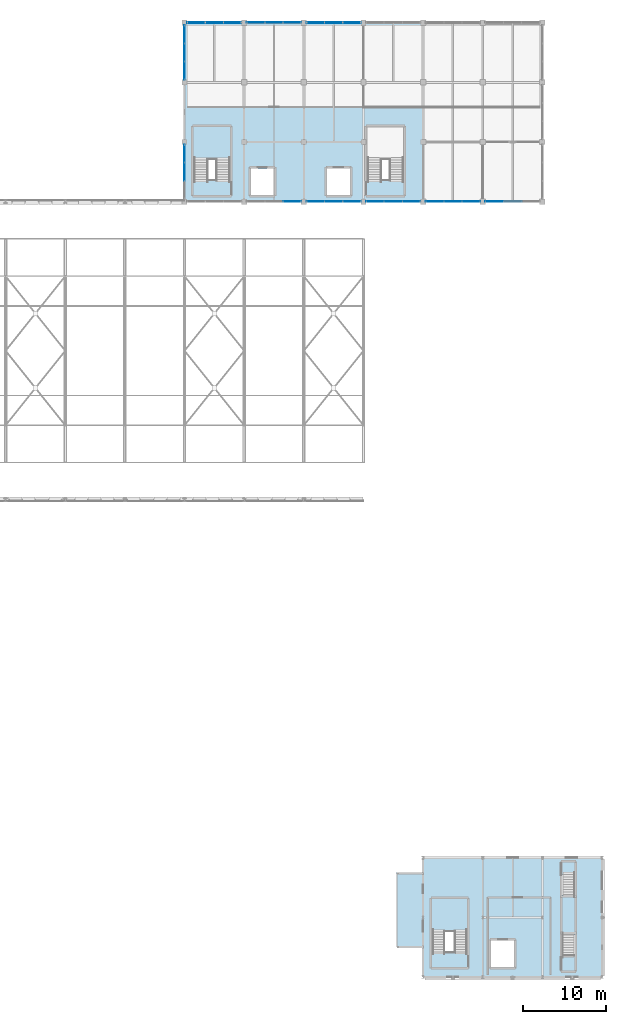
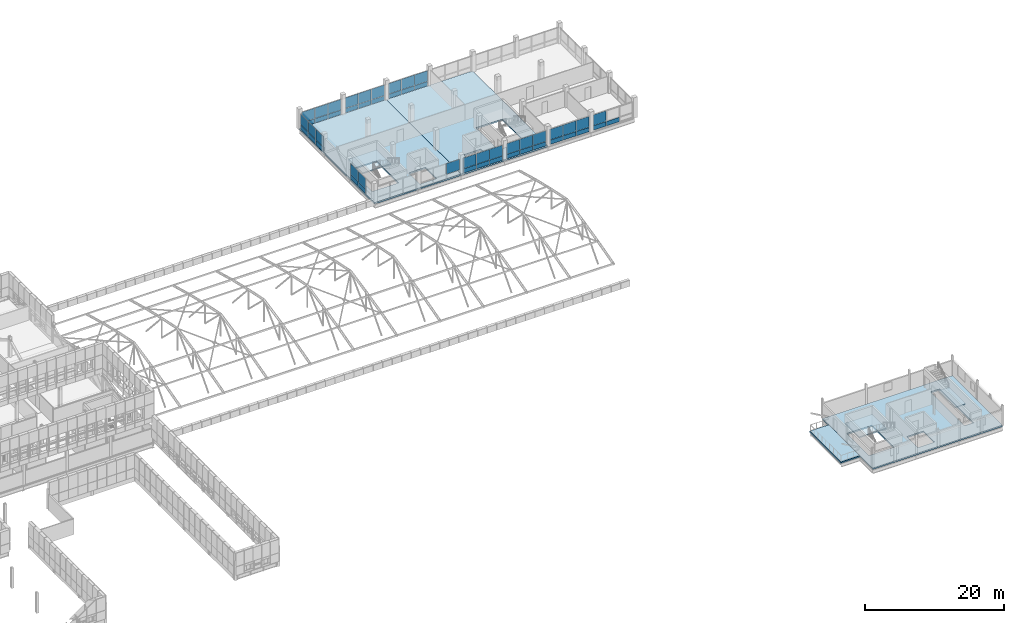
# One storey, part 51 of 96: 50 plates, 7 slabs, 13 elements without a shape of their own.
"""IFC4 building model written with IfcOpenShell, lengths in metres."""

from ifc_helpers import new_model, si_unit, direction, frame, origin, origin_2d, place, context, subcontext, project, spatial, polyline, rectangle, outline, extrude, material, layer, layer_set, type_object, element, aggregate, save


model = new_model("IFC4")

# Units and contexts
model_context = context("Model", 3, precision=1e-05, world=origin(), true_north=direction((0.0, 1.0)))
body_context = subcontext(model_context, "Body", "Model", "MODEL_VIEW")
ifc_project = project(units=[si_unit("LENGTHUNIT", "METRE"), si_unit("AREAUNIT", "SQUARE_METRE"), si_unit("VOLUMEUNIT", "CUBIC_METRE"), si_unit("PLANEANGLEUNIT", "RADIAN"), si_unit("MASSUNIT", "GRAM", prefix="KILO")], contexts=[model_context])

# Site, building, storey
site_placement = place(None, origin())
site = spatial("IfcSite", under=ifc_project, at=site_placement, CompositionType="ELEMENT")
building_placement = place(site_placement, origin())
building = spatial("IfcBuilding", under=site, at=building_placement, Name="Yarey Park Central Fire Station", CompositionType="ELEMENT")
storey_placement = place(building_placement, frame((0.0, 0.0, 14.39990234375)))
storey = spatial("IfcBuildingStorey", under=building, at=storey_placement, Name="L04", CompositionType="ELEMENT", Elevation=14.39990234375)

# Curtain wall, plates
ifc_material_1 = material(Name="Anodized Aluminium Frame", Category="aluminium")
curtain_wall_type = type_object("IfcCurtainWallType", Name="ENV_CW_HQ_L04", PredefinedType="NOTDEFINED", material=ifc_material_1)
curtain_wall_1_placement = place(storey_placement, origin())
curtain_wall_1 = element("IfcCurtainWall", 1, at=curtain_wall_1_placement, inside=storey, type_object=curtain_wall_type, Name="CW_L04_V4_N_2", PredefinedType="NOTDEFINED")
ifc_material_2 = material(Name="Insulated Aluminium Spandrel Panel", Category="aluminium")
ifc_layer_1 = layer(ifc_material_2, 0.055908203125)
ifc_layer_set_1 = layer_set([ifc_layer_1], Name="Insulated Aluminium Spandrel Panel")
plate_type_1 = type_object("IfcPlateType", Name="ENV_PNL_SPN_01", PredefinedType="CURTAIN_PANEL", material=ifc_layer_set_1)
plate_1_placement = place(storey_placement, frame((128.193359375, 115.199951171875, 0.04248046875), z_axis=(0.0, 0.0, 1.0), x_axis=(-1.0, 0.0, 0.0)))
plate_1 = element("IfcPlate", 2, at=plate_1_placement, type_object=plate_type_1, Name="CW_L04_V4_N_2_PNL01", PredefinedType="CURTAIN_PANEL", context=body_context, shape_type="SweptSolid", body=[
    extrude(rectangle(XDim=2.1533203125, YDim=0.055908203125, at=origin_2d()), origin(), (0.0, 0.0, 1.0), 0.764892578125),
])
plate_2_placement = place(storey_placement, frame((126.0, 115.199951171875, 0.04248046875), z_axis=(0.0, 0.0, 1.0), x_axis=(-1.0, 0.0, 0.0)))
plate_2 = element("IfcPlate", 3, at=plate_2_placement, type_object=plate_type_1, Name="CW_L04_V4_N_2_PNL03", PredefinedType="CURTAIN_PANEL", context=body_context, shape_type="SweptSolid", body=[
    extrude(rectangle(XDim=2.1533203125, YDim=0.055908203125, at=origin_2d()), origin(), (0.0, 0.0, 1.0), 0.764892578125),
])
plate_3_placement = place(storey_placement, frame((123.806640625, 115.199951171875, 0.04248046875), z_axis=(0.0, 0.0, 1.0), x_axis=(-1.0, 0.0, 0.0)))
plate_3 = element("IfcPlate", 4, at=plate_3_placement, type_object=plate_type_1, Name="CW_L04_V4_N_2_PNL05", PredefinedType="CURTAIN_PANEL", context=body_context, shape_type="SweptSolid", body=[
    extrude(rectangle(XDim=2.1533203125, YDim=0.055908203125, at=origin_2d()), origin(), (0.0, 0.0, 1.0), 0.764892578125),
])

curtain_wall_2_placement = place(storey_placement, origin())
curtain_wall_2 = element("IfcCurtainWall", 5, at=curtain_wall_2_placement, inside=storey, type_object=curtain_wall_type, Name="CW_L04_V4_S_4", PredefinedType="NOTDEFINED")
ifc_layer_2 = layer(ifc_material_2, 0.068115234375)
ifc_layer_set_2 = layer_set([ifc_layer_2], Name="Insulated Aluminium Spandrel Panel")
plate_type_2 = type_object("IfcPlateType", Name="ENV_PNL_SPN_02", PredefinedType="CURTAIN_PANEL", material=ifc_layer_set_2)
plate_4_placement = place(storey_placement, frame((138.206787109375, 93.60009765625, 0.04248046875), z_axis=(0.0, 0.0, 1.0), x_axis=(1.0, 0.0, 0.0)))
plate_4 = element("IfcPlate", 6, at=plate_4_placement, type_object=plate_type_2, Name="CW_L04_V4_S_4_PNL01", PredefinedType="CURTAIN_PANEL", context=body_context, shape_type="SweptSolid", body=[
    extrude(rectangle(XDim=2.1533203125, YDim=0.068115234375, at=origin_2d()), origin(), (0.0, 0.0, 1.0), 0.764892578125),
])
plate_5_placement = place(storey_placement, frame((140.39990234375, 93.60009765625, 0.04248046875), z_axis=(0.0, 0.0, 1.0), x_axis=(1.0, 0.0, 0.0)))
plate_5 = element("IfcPlate", 7, at=plate_5_placement, type_object=plate_type_2, Name="CW_L04_V4_S_4_PNL03", PredefinedType="CURTAIN_PANEL", context=body_context, shape_type="SweptSolid", body=[
    extrude(rectangle(XDim=2.1533203125, YDim=0.068115234375, at=origin_2d()), origin(), (0.0, 0.0, 1.0), 0.764892578125),
])
plate_6_placement = place(storey_placement, frame((142.59326171875, 93.60009765625, 0.04248046875), z_axis=(0.0, 0.0, 1.0), x_axis=(1.0, 0.0, 0.0)))
plate_6 = element("IfcPlate", 8, at=plate_6_placement, type_object=plate_type_2, Name="CW_L04_V4_S_4_PNL05", PredefinedType="CURTAIN_PANEL", context=body_context, shape_type="SweptSolid", body=[
    extrude(rectangle(XDim=2.1533203125, YDim=0.068115234375, at=origin_2d()), origin(), (0.0, 0.0, 1.0), 0.764892578125),
])

curtain_wall_3_placement = place(storey_placement, origin())
curtain_wall_3 = element("IfcCurtainWall", 9, at=curtain_wall_3_placement, inside=storey, type_object=curtain_wall_type, Name="CW_L04_V4_S_6", PredefinedType="NOTDEFINED")
plate_7_placement = place(storey_placement, frame((152.606689453125, 93.60009765625, 0.04248046875), z_axis=(0.0, 0.0, 1.0), x_axis=(1.0, 0.0, 0.0)))
plate_7 = element("IfcPlate", 10, at=plate_7_placement, type_object=plate_type_2, Name="CW_L04_V4_S_6_PNL01", PredefinedType="CURTAIN_PANEL", context=body_context, shape_type="SweptSolid", body=[
    extrude(rectangle(XDim=2.1533203125, YDim=0.068115234375, at=origin_2d()), origin(), (0.0, 0.0, 1.0), 0.764892578125),
])
plate_8_placement = place(storey_placement, frame((154.800048828125, 93.60009765625, 0.04248046875), z_axis=(0.0, 0.0, 1.0), x_axis=(1.0, 0.0, 0.0)))
plate_8 = element("IfcPlate", 11, at=plate_8_placement, type_object=plate_type_2, Name="CW_L04_V4_S_6_PNL03", PredefinedType="CURTAIN_PANEL", context=body_context, shape_type="SweptSolid", body=[
    extrude(rectangle(XDim=2.1533203125, YDim=0.068115234375, at=origin_2d()), origin(), (0.0, 0.0, 1.0), 0.764892578125),
])

curtain_wall_4_placement = place(storey_placement, origin())
curtain_wall_4 = element("IfcCurtainWall", 12, at=curtain_wall_4_placement, inside=storey, type_object=curtain_wall_type, Name="CW_L04_V4_N_1", PredefinedType="NOTDEFINED")
ifc_layer_3 = layer(ifc_material_2, 0.077880859375)
ifc_layer_set_3 = layer_set([ifc_layer_3], Name="Insulated Aluminium Spandrel Panel")
plate_type_3 = type_object("IfcPlateType", Name="ENV_PNL_SPN_03", PredefinedType="CURTAIN_PANEL", material=ifc_layer_set_3)
plate_9_placement = place(storey_placement, frame((120.993408203125, 115.199951171875, 0.04248046875), z_axis=(0.0, 0.0, 1.0), x_axis=(-1.0, 0.0, 0.0)))
plate_9 = element("IfcPlate", 13, at=plate_9_placement, type_object=plate_type_3, Name="CW_L04_V4_N_1_PNL01", PredefinedType="CURTAIN_PANEL", context=body_context, shape_type="SweptSolid", body=[
    extrude(rectangle(XDim=2.1533203125, YDim=0.077880859375, at=origin_2d()), origin(), (0.0, 0.0, 1.0), 0.764892578125),
])
plate_10_placement = place(storey_placement, frame((118.800048828125, 115.199951171875, 0.04248046875), z_axis=(0.0, 0.0, 1.0), x_axis=(-1.0, 0.0, 0.0)))
plate_10 = element("IfcPlate", 14, at=plate_10_placement, type_object=plate_type_3, Name="CW_L04_V4_N_1_PNL03", PredefinedType="CURTAIN_PANEL", context=body_context, shape_type="SweptSolid", body=[
    extrude(rectangle(XDim=2.1533203125, YDim=0.077880859375, at=origin_2d()), origin(), (0.0, 0.0, 1.0), 0.764892578125),
])
plate_11_placement = place(storey_placement, frame((116.606689453125, 115.199951171875, 0.04248046875), z_axis=(0.0, 0.0, 1.0), x_axis=(-1.0, 0.0, 0.0)))
plate_11 = element("IfcPlate", 15, at=plate_11_placement, type_object=plate_type_3, Name="CW_L04_V4_N_1_PNL05", PredefinedType="CURTAIN_PANEL", context=body_context, shape_type="SweptSolid", body=[
    extrude(rectangle(XDim=2.1533203125, YDim=0.077880859375, at=origin_2d()), origin(), (0.0, 0.0, 1.0), 0.764892578125),
])

curtain_wall_5_placement = place(storey_placement, origin())
curtain_wall_5 = element("IfcCurtainWall", 16, at=curtain_wall_5_placement, inside=storey, type_object=curtain_wall_type, Name="CW_L04_V4_N_3", PredefinedType="NOTDEFINED")
plate_12_placement = place(storey_placement, frame((135.393310546875, 115.199951171875, 0.04248046875), z_axis=(0.0, 0.0, 1.0), x_axis=(-1.0, 0.0, 0.0)))
plate_12 = element("IfcPlate", 17, at=plate_12_placement, type_object=plate_type_3, Name="CW_L04_V4_N_3_PNL01", PredefinedType="CURTAIN_PANEL", context=body_context, shape_type="SweptSolid", body=[
    extrude(rectangle(XDim=2.1533203125, YDim=0.077880859375, at=origin_2d()), origin(), (0.0, 0.0, 1.0), 0.764892578125),
])
plate_13_placement = place(storey_placement, frame((133.199951171875, 115.199951171875, 0.04248046875), z_axis=(0.0, 0.0, 1.0), x_axis=(-1.0, 0.0, 0.0)))
plate_13 = element("IfcPlate", 18, at=plate_13_placement, type_object=plate_type_3, Name="CW_L04_V4_N_3_PNL03", PredefinedType="CURTAIN_PANEL", context=body_context, shape_type="SweptSolid", body=[
    extrude(rectangle(XDim=2.1533203125, YDim=0.077880859375, at=origin_2d()), origin(), (0.0, 0.0, 1.0), 0.764892578125),
])
plate_14_placement = place(storey_placement, frame((131.006591796875, 115.199951171875, 0.04248046875), z_axis=(0.0, 0.0, 1.0), x_axis=(-1.0, 0.0, 0.0)))
plate_14 = element("IfcPlate", 19, at=plate_14_placement, type_object=plate_type_3, Name="CW_L04_V4_N_3_PNL05", PredefinedType="CURTAIN_PANEL", context=body_context, shape_type="SweptSolid", body=[
    extrude(rectangle(XDim=2.1533203125, YDim=0.077880859375, at=origin_2d()), origin(), (0.0, 0.0, 1.0), 0.764892578125),
])

curtain_wall_6_placement = place(storey_placement, origin())
curtain_wall_6 = element("IfcCurtainWall", 20, at=curtain_wall_6_placement, inside=storey, type_object=curtain_wall_type, Name="CW_L04_V4_W_93", PredefinedType="NOTDEFINED")
plate_15_placement = place(storey_placement, frame((115.199951171875, 99.393310546875, 0.04248046875), z_axis=(0.0, 0.0, 1.0), x_axis=(0.0, -1.0, 0.0)))
plate_15 = element("IfcPlate", 21, at=plate_15_placement, type_object=plate_type_3, Name="CW_L04_V4_W_93_PNL01", PredefinedType="CURTAIN_PANEL", context=body_context, shape_type="SweptSolid", body=[
    extrude(rectangle(XDim=2.1533203125, YDim=0.077880859375, at=origin_2d()), origin(), (0.0, 0.0, 1.0), 0.764892578125),
])
plate_16_placement = place(storey_placement, frame((115.199951171875, 97.199951171875, 0.04248046875), z_axis=(0.0, 0.0, 1.0), x_axis=(0.0, -1.0, 0.0)))
plate_16 = element("IfcPlate", 22, at=plate_16_placement, type_object=plate_type_3, Name="CW_L04_V4_W_93_PNL03", PredefinedType="CURTAIN_PANEL", context=body_context, shape_type="SweptSolid", body=[
    extrude(rectangle(XDim=2.1533203125, YDim=0.077880859375, at=origin_2d()), origin(), (0.0, 0.0, 1.0), 0.764892578125),
])

curtain_wall_7_placement = place(storey_placement, origin())
curtain_wall_7 = element("IfcCurtainWall", 23, at=curtain_wall_7_placement, inside=storey, type_object=curtain_wall_type, Name="CW_L04_V4_S_3", PredefinedType="NOTDEFINED")
ifc_layer_4 = layer(ifc_material_2, 0.087890625)
ifc_layer_set_4 = layer_set([ifc_layer_4], Name="Insulated Aluminium Spandrel Panel")
plate_type_4 = type_object("IfcPlateType", Name="ENV_PNL_SPN_04", PredefinedType="CURTAIN_PANEL", material=ifc_layer_set_4)
plate_17_placement = place(storey_placement, frame((131.006591796875, 93.60009765625, 0.04248046875), z_axis=(0.0, 0.0, 1.0), x_axis=(1.0, 0.0, 0.0)))
plate_17 = element("IfcPlate", 24, at=plate_17_placement, type_object=plate_type_4, Name="CW_L04_V4_S_3_PNL01", PredefinedType="CURTAIN_PANEL", context=body_context, shape_type="SweptSolid", body=[
    extrude(rectangle(XDim=2.1533203125, YDim=0.087890625, at=origin_2d()), origin(), (0.0, 0.0, 1.0), 0.764892578125),
])
plate_18_placement = place(storey_placement, frame((133.199951171875, 93.60009765625, 0.04248046875), z_axis=(0.0, 0.0, 1.0), x_axis=(1.0, 0.0, 0.0)))
plate_18 = element("IfcPlate", 25, at=plate_18_placement, type_object=plate_type_4, Name="CW_L04_V4_S_3_PNL03", PredefinedType="CURTAIN_PANEL", context=body_context, shape_type="SweptSolid", body=[
    extrude(rectangle(XDim=2.1533203125, YDim=0.087890625, at=origin_2d()), origin(), (0.0, 0.0, 1.0), 0.764892578125),
])
plate_19_placement = place(storey_placement, frame((135.393310546875, 93.60009765625, 0.04248046875), z_axis=(0.0, 0.0, 1.0), x_axis=(1.0, 0.0, 0.0)))
plate_19 = element("IfcPlate", 26, at=plate_19_placement, type_object=plate_type_4, Name="CW_L04_V4_S_3_PNL05", PredefinedType="CURTAIN_PANEL", context=body_context, shape_type="SweptSolid", body=[
    extrude(rectangle(XDim=2.1533203125, YDim=0.087890625, at=origin_2d()), origin(), (0.0, 0.0, 1.0), 0.764892578125),
])

curtain_wall_8_placement = place(storey_placement, origin())
curtain_wall_8 = element("IfcCurtainWall", 27, at=curtain_wall_8_placement, inside=storey, type_object=curtain_wall_type, Name="CW_L04_V4_S_5", PredefinedType="NOTDEFINED")
plate_20_placement = place(storey_placement, frame((145.40673828125, 93.60009765625, 0.04248046875), z_axis=(0.0, 0.0, 1.0), x_axis=(1.0, 0.0, 0.0)))
plate_20 = element("IfcPlate", 28, at=plate_20_placement, type_object=plate_type_4, Name="CW_L04_V4_S_5_PNL01", PredefinedType="CURTAIN_PANEL", context=body_context, shape_type="SweptSolid", body=[
    extrude(rectangle(XDim=2.1533203125, YDim=0.087890625, at=origin_2d()), origin(), (0.0, 0.0, 1.0), 0.764892578125),
])
plate_21_placement = place(storey_placement, frame((147.60009765625, 93.60009765625, 0.04248046875), z_axis=(0.0, 0.0, 1.0), x_axis=(1.0, 0.0, 0.0)))
plate_21 = element("IfcPlate", 29, at=plate_21_placement, type_object=plate_type_4, Name="CW_L04_V4_S_5_PNL03", PredefinedType="CURTAIN_PANEL", context=body_context, shape_type="SweptSolid", body=[
    extrude(rectangle(XDim=2.1533203125, YDim=0.087890625, at=origin_2d()), origin(), (0.0, 0.0, 1.0), 0.764892578125),
])
plate_22_placement = place(storey_placement, frame((149.793212890625, 93.60009765625, 0.04248046875), z_axis=(0.0, 0.0, 1.0), x_axis=(1.0, 0.0, 0.0)))
plate_22 = element("IfcPlate", 30, at=plate_22_placement, type_object=plate_type_4, Name="CW_L04_V4_S_5_PNL05", PredefinedType="CURTAIN_PANEL", context=body_context, shape_type="SweptSolid", body=[
    extrude(rectangle(XDim=2.1533203125, YDim=0.087890625, at=origin_2d()), origin(), (0.0, 0.0, 1.0), 0.764892578125),
])

curtain_wall_9_placement = place(storey_placement, origin())
curtain_wall_9 = element("IfcCurtainWall", 31, at=curtain_wall_9_placement, inside=storey, type_object=curtain_wall_type, Name="CW_L04_V4_W_108", PredefinedType="NOTDEFINED")
plate_23_placement = place(storey_placement, frame((115.199951171875, 113.793212890625, 0.04248046875), z_axis=(0.0, 0.0, 1.0), x_axis=(0.0, -1.0, 0.0)))
plate_23 = element("IfcPlate", 32, at=plate_23_placement, type_object=plate_type_4, Name="CW_L04_V4_W_108_PNL01", PredefinedType="CURTAIN_PANEL", context=body_context, shape_type="SweptSolid", body=[
    extrude(rectangle(XDim=2.1533203125, YDim=0.087890625, at=origin_2d()), origin(), (0.0, 0.0, 1.0), 0.764892578125),
])
plate_24_placement = place(storey_placement, frame((115.199951171875, 111.60009765625, 0.04248046875), z_axis=(0.0, 0.0, 1.0), x_axis=(0.0, -1.0, 0.0)))
plate_24 = element("IfcPlate", 33, at=plate_24_placement, type_object=plate_type_4, Name="CW_L04_V4_W_108_PNL03", PredefinedType="CURTAIN_PANEL", context=body_context, shape_type="SweptSolid", body=[
    extrude(rectangle(XDim=2.1533203125, YDim=0.087890625, at=origin_2d()), origin(), (0.0, 0.0, 1.0), 0.764892578125),
])
plate_25_placement = place(storey_placement, frame((115.199951171875, 109.40673828125, 0.04248046875), z_axis=(0.0, 0.0, 1.0), x_axis=(0.0, -1.0, 0.0)))
plate_25 = element("IfcPlate", 34, at=plate_25_placement, type_object=plate_type_4, Name="CW_L04_V4_W_108_PNL05", PredefinedType="CURTAIN_PANEL", context=body_context, shape_type="SweptSolid", body=[
    extrude(rectangle(XDim=2.1533203125, YDim=0.087890625, at=origin_2d()), origin(), (0.0, 0.0, 1.0), 0.764892578125),
])

# Plate
ifc_material_3 = material(Name="Laminated Hurricane Low-E Glass", Category="glass")
ifc_layer_5 = layer(ifc_material_3, 0.02392578125)
ifc_layer_set_5 = layer_set([ifc_layer_5], Name="Laminated Hurricane Low-E Glass")
plate_type_5 = type_object("IfcPlateType", Name="ENV_PNL_VIS_01", PredefinedType="CURTAIN_PANEL", material=ifc_layer_set_5)
plate_26_placement = place(storey_placement, frame((128.193359375, 115.199951171875, 0.8427734375), z_axis=(0.0, 0.0, 1.0), x_axis=(-1.0, 0.0, 0.0)))
plate_26 = element("IfcPlate", 35, at=plate_26_placement, type_object=plate_type_5, Name="CW_L04_V4_N_2_PNL02", PredefinedType="CURTAIN_PANEL", context=body_context, shape_type="SweptSolid", body=[
    extrude(rectangle(XDim=2.1533203125, YDim=0.02392578125, at=origin_2d()), origin(), (0.0, 0.0, 1.0), 1.864990234375),
])

plate_27_placement = place(storey_placement, frame((126.0, 115.199951171875, 0.8427734375), z_axis=(0.0, 0.0, 1.0), x_axis=(-1.0, 0.0, 0.0)))
plate_27 = element("IfcPlate", 36, at=plate_27_placement, type_object=plate_type_5, Name="CW_L04_V4_N_2_PNL04", PredefinedType="CURTAIN_PANEL", context=body_context, shape_type="SweptSolid", body=[
    extrude(rectangle(XDim=2.1533203125, YDim=0.02392578125, at=origin_2d()), origin(), (0.0, 0.0, 1.0), 1.864990234375),
])

plate_28_placement = place(storey_placement, frame((123.806640625, 115.199951171875, 0.8427734375), z_axis=(0.0, 0.0, 1.0), x_axis=(-1.0, 0.0, 0.0)))
plate_28 = element("IfcPlate", 37, at=plate_28_placement, type_object=plate_type_5, Name="CW_L04_V4_N_2_PNL06", PredefinedType="CURTAIN_PANEL", context=body_context, shape_type="SweptSolid", body=[
    extrude(rectangle(XDim=2.1533203125, YDim=0.02392578125, at=origin_2d()), origin(), (0.0, 0.0, 1.0), 1.864990234375),
])

aggregate(curtain_wall_1, [plate_1, plate_26, plate_2, plate_27, plate_3, plate_28])

# Curtain wall, plate
curtain_wall_10_placement = place(storey_placement, origin())
curtain_wall_10 = element("IfcCurtainWall", 38, at=curtain_wall_10_placement, inside=storey, type_object=curtain_wall_type, Name="CW_L04_V4_S_2", PredefinedType="NOTDEFINED")
ifc_layer_6 = layer(ifc_material_3, 0.031982421875)
ifc_layer_set_6 = layer_set([ifc_layer_6], Name="Laminated Hurricane Low-E Glass")
plate_type_6 = type_object("IfcPlateType", Name="ENV_PNL_VIS_02", PredefinedType="CURTAIN_PANEL", material=ifc_layer_set_6)
plate_29_placement = place(storey_placement, frame((128.193359375, 93.60009765625, 0.8427734375), z_axis=(0.0, 0.0, 1.0), x_axis=(1.0, 0.0, 0.0)))
plate_29 = element("IfcPlate", 39, at=plate_29_placement, type_object=plate_type_6, Name="CW_L04_V4_S_2_PNL06", PredefinedType="CURTAIN_PANEL", context=body_context, shape_type="SweptSolid", body=[
    extrude(rectangle(XDim=2.1533203125, YDim=0.031982421875, at=origin_2d()), origin(), (0.0, 0.0, 1.0), 1.864990234375),
])
aggregate(curtain_wall_10, [plate_29])

# Plate
plate_30_placement = place(storey_placement, frame((138.206787109375, 93.60009765625, 0.8427734375), z_axis=(0.0, 0.0, 1.0), x_axis=(1.0, 0.0, 0.0)))
plate_30 = element("IfcPlate", 40, at=plate_30_placement, type_object=plate_type_6, Name="CW_L04_V4_S_4_PNL02", PredefinedType="CURTAIN_PANEL", context=body_context, shape_type="SweptSolid", body=[
    extrude(rectangle(XDim=2.1533203125, YDim=0.031982421875, at=origin_2d()), origin(), (0.0, 0.0, 1.0), 1.864990234375),
])

plate_31_placement = place(storey_placement, frame((140.39990234375, 93.60009765625, 0.8427734375), z_axis=(0.0, 0.0, 1.0), x_axis=(1.0, 0.0, 0.0)))
plate_31 = element("IfcPlate", 41, at=plate_31_placement, type_object=plate_type_6, Name="CW_L04_V4_S_4_PNL04", PredefinedType="CURTAIN_PANEL", context=body_context, shape_type="SweptSolid", body=[
    extrude(rectangle(XDim=2.1533203125, YDim=0.031982421875, at=origin_2d()), origin(), (0.0, 0.0, 1.0), 1.864990234375),
])

plate_32_placement = place(storey_placement, frame((142.59326171875, 93.60009765625, 0.8427734375), z_axis=(0.0, 0.0, 1.0), x_axis=(1.0, 0.0, 0.0)))
plate_32 = element("IfcPlate", 42, at=plate_32_placement, type_object=plate_type_6, Name="CW_L04_V4_S_4_PNL06", PredefinedType="CURTAIN_PANEL", context=body_context, shape_type="SweptSolid", body=[
    extrude(rectangle(XDim=2.1533203125, YDim=0.031982421875, at=origin_2d()), origin(), (0.0, 0.0, 1.0), 1.864990234375),
])

aggregate(curtain_wall_2, [plate_4, plate_30, plate_5, plate_31, plate_6, plate_32])

plate_33_placement = place(storey_placement, frame((152.606689453125, 93.60009765625, 0.8427734375), z_axis=(0.0, 0.0, 1.0), x_axis=(1.0, 0.0, 0.0)))
plate_33 = element("IfcPlate", 43, at=plate_33_placement, type_object=plate_type_6, Name="CW_L04_V4_S_6_PNL02", PredefinedType="CURTAIN_PANEL", context=body_context, shape_type="SweptSolid", body=[
    extrude(rectangle(XDim=2.1533203125, YDim=0.031982421875, at=origin_2d()), origin(), (0.0, 0.0, 1.0), 1.864990234375),
])

aggregate(curtain_wall_3, [plate_7, plate_33, plate_8])

ifc_layer_7 = layer(ifc_material_3, 0.0380859375)
ifc_layer_set_7 = layer_set([ifc_layer_7], Name="Laminated Hurricane Low-E Glass")
plate_type_7 = type_object("IfcPlateType", Name="ENV_PNL_VIS_03", PredefinedType="CURTAIN_PANEL", material=ifc_layer_set_7)
plate_34_placement = place(storey_placement, frame((120.993408203125, 115.199951171875, 0.8427734375), z_axis=(0.0, 0.0, 1.0), x_axis=(-1.0, 0.0, 0.0)))
plate_34 = element("IfcPlate", 44, at=plate_34_placement, type_object=plate_type_7, Name="CW_L04_V4_N_1_PNL02", PredefinedType="CURTAIN_PANEL", context=body_context, shape_type="SweptSolid", body=[
    extrude(rectangle(XDim=2.1533203125, YDim=0.0380859375, at=origin_2d()), origin(), (0.0, 0.0, 1.0), 1.864990234375),
])

plate_35_placement = place(storey_placement, frame((118.800048828125, 115.199951171875, 0.8427734375), z_axis=(0.0, 0.0, 1.0), x_axis=(-1.0, 0.0, 0.0)))
plate_35 = element("IfcPlate", 45, at=plate_35_placement, type_object=plate_type_7, Name="CW_L04_V4_N_1_PNL04", PredefinedType="CURTAIN_PANEL", context=body_context, shape_type="SweptSolid", body=[
    extrude(rectangle(XDim=2.1533203125, YDim=0.0380859375, at=origin_2d()), origin(), (0.0, 0.0, 1.0), 1.864990234375),
])

plate_36_placement = place(storey_placement, frame((116.606689453125, 115.199951171875, 0.8427734375), z_axis=(0.0, 0.0, 1.0), x_axis=(-1.0, 0.0, 0.0)))
plate_36 = element("IfcPlate", 46, at=plate_36_placement, type_object=plate_type_7, Name="CW_L04_V4_N_1_PNL06", PredefinedType="CURTAIN_PANEL", context=body_context, shape_type="SweptSolid", body=[
    extrude(rectangle(XDim=2.1533203125, YDim=0.0380859375, at=origin_2d()), origin(), (0.0, 0.0, 1.0), 1.864990234375),
])

aggregate(curtain_wall_4, [plate_9, plate_34, plate_10, plate_35, plate_11, plate_36])

plate_37_placement = place(storey_placement, frame((135.393310546875, 115.199951171875, 0.8427734375), z_axis=(0.0, 0.0, 1.0), x_axis=(-1.0, 0.0, 0.0)))
plate_37 = element("IfcPlate", 47, at=plate_37_placement, type_object=plate_type_7, Name="CW_L04_V4_N_3_PNL02", PredefinedType="CURTAIN_PANEL", context=body_context, shape_type="SweptSolid", body=[
    extrude(rectangle(XDim=2.1533203125, YDim=0.0380859375, at=origin_2d()), origin(), (0.0, 0.0, 1.0), 1.864990234375),
])

plate_38_placement = place(storey_placement, frame((133.199951171875, 115.199951171875, 0.8427734375), z_axis=(0.0, 0.0, 1.0), x_axis=(-1.0, 0.0, 0.0)))
plate_38 = element("IfcPlate", 48, at=plate_38_placement, type_object=plate_type_7, Name="CW_L04_V4_N_3_PNL04", PredefinedType="CURTAIN_PANEL", context=body_context, shape_type="SweptSolid", body=[
    extrude(rectangle(XDim=2.1533203125, YDim=0.0380859375, at=origin_2d()), origin(), (0.0, 0.0, 1.0), 1.864990234375),
])

plate_39_placement = place(storey_placement, frame((131.006591796875, 115.199951171875, 0.8427734375), z_axis=(0.0, 0.0, 1.0), x_axis=(-1.0, 0.0, 0.0)))
plate_39 = element("IfcPlate", 49, at=plate_39_placement, type_object=plate_type_7, Name="CW_L04_V4_N_3_PNL06", PredefinedType="CURTAIN_PANEL", context=body_context, shape_type="SweptSolid", body=[
    extrude(rectangle(XDim=2.1533203125, YDim=0.0380859375, at=origin_2d()), origin(), (0.0, 0.0, 1.0), 1.864990234375),
])

aggregate(curtain_wall_5, [plate_12, plate_37, plate_13, plate_38, plate_14, plate_39])

plate_40_placement = place(storey_placement, frame((115.199951171875, 99.393310546875, 0.8427734375), z_axis=(0.0, 0.0, 1.0), x_axis=(0.0, -1.0, 0.0)))
plate_40 = element("IfcPlate", 50, at=plate_40_placement, type_object=plate_type_7, Name="CW_L04_V4_W_93_PNL02", PredefinedType="CURTAIN_PANEL", context=body_context, shape_type="SweptSolid", body=[
    extrude(rectangle(XDim=2.1533203125, YDim=0.0380859375, at=origin_2d()), origin(), (0.0, 0.0, 1.0), 1.864990234375),
])

plate_41_placement = place(storey_placement, frame((115.199951171875, 97.199951171875, 0.8427734375), z_axis=(0.0, 0.0, 1.0), x_axis=(0.0, -1.0, 0.0)))
plate_41 = element("IfcPlate", 51, at=plate_41_placement, type_object=plate_type_7, Name="CW_L04_V4_W_93_PNL04", PredefinedType="CURTAIN_PANEL", context=body_context, shape_type="SweptSolid", body=[
    extrude(rectangle(XDim=2.1533203125, YDim=0.0380859375, at=origin_2d()), origin(), (0.0, 0.0, 1.0), 1.864990234375),
])

aggregate(curtain_wall_6, [plate_15, plate_40, plate_16, plate_41])

ifc_layer_8 = layer(ifc_material_3, 0.0458984375)
ifc_layer_set_8 = layer_set([ifc_layer_8], Name="Laminated Hurricane Low-E Glass")
plate_type_8 = type_object("IfcPlateType", Name="ENV_PNL_VIS_04", PredefinedType="CURTAIN_PANEL", material=ifc_layer_set_8)
plate_42_placement = place(storey_placement, frame((131.006591796875, 93.60009765625, 0.8427734375), z_axis=(0.0, 0.0, 1.0), x_axis=(1.0, 0.0, 0.0)))
plate_42 = element("IfcPlate", 52, at=plate_42_placement, type_object=plate_type_8, Name="CW_L04_V4_S_3_PNL02", PredefinedType="CURTAIN_PANEL", context=body_context, shape_type="SweptSolid", body=[
    extrude(rectangle(XDim=2.1533203125, YDim=0.0458984375, at=origin_2d()), origin(), (0.0, 0.0, 1.0), 1.864990234375),
])

plate_43_placement = place(storey_placement, frame((133.199951171875, 93.60009765625, 0.8427734375), z_axis=(0.0, 0.0, 1.0), x_axis=(1.0, 0.0, 0.0)))
plate_43 = element("IfcPlate", 53, at=plate_43_placement, type_object=plate_type_8, Name="CW_L04_V4_S_3_PNL04", PredefinedType="CURTAIN_PANEL", context=body_context, shape_type="SweptSolid", body=[
    extrude(rectangle(XDim=2.1533203125, YDim=0.0458984375, at=origin_2d()), origin(), (0.0, 0.0, 1.0), 1.864990234375),
])

plate_44_placement = place(storey_placement, frame((135.393310546875, 93.60009765625, 0.8427734375), z_axis=(0.0, 0.0, 1.0), x_axis=(1.0, 0.0, 0.0)))
plate_44 = element("IfcPlate", 54, at=plate_44_placement, type_object=plate_type_8, Name="CW_L04_V4_S_3_PNL06", PredefinedType="CURTAIN_PANEL", context=body_context, shape_type="SweptSolid", body=[
    extrude(rectangle(XDim=2.1533203125, YDim=0.0458984375, at=origin_2d()), origin(), (0.0, 0.0, 1.0), 1.864990234375),
])

aggregate(curtain_wall_7, [plate_17, plate_42, plate_18, plate_43, plate_19, plate_44])

plate_45_placement = place(storey_placement, frame((145.40673828125, 93.60009765625, 0.8427734375), z_axis=(0.0, 0.0, 1.0), x_axis=(1.0, 0.0, 0.0)))
plate_45 = element("IfcPlate", 55, at=plate_45_placement, type_object=plate_type_8, Name="CW_L04_V4_S_5_PNL02", PredefinedType="CURTAIN_PANEL", context=body_context, shape_type="SweptSolid", body=[
    extrude(rectangle(XDim=2.1533203125, YDim=0.0458984375, at=origin_2d()), origin(), (0.0, 0.0, 1.0), 1.864990234375),
])

plate_46_placement = place(storey_placement, frame((147.60009765625, 93.60009765625, 0.8427734375), z_axis=(0.0, 0.0, 1.0), x_axis=(1.0, 0.0, 0.0)))
plate_46 = element("IfcPlate", 56, at=plate_46_placement, type_object=plate_type_8, Name="CW_L04_V4_S_5_PNL04", PredefinedType="CURTAIN_PANEL", context=body_context, shape_type="SweptSolid", body=[
    extrude(rectangle(XDim=2.1533203125, YDim=0.0458984375, at=origin_2d()), origin(), (0.0, 0.0, 1.0), 1.864990234375),
])

plate_47_placement = place(storey_placement, frame((149.793212890625, 93.60009765625, 0.8427734375), z_axis=(0.0, 0.0, 1.0), x_axis=(1.0, 0.0, 0.0)))
plate_47 = element("IfcPlate", 57, at=plate_47_placement, type_object=plate_type_8, Name="CW_L04_V4_S_5_PNL06", PredefinedType="CURTAIN_PANEL", context=body_context, shape_type="SweptSolid", body=[
    extrude(rectangle(XDim=2.1533203125, YDim=0.0458984375, at=origin_2d()), origin(), (0.0, 0.0, 1.0), 1.864990234375),
])

aggregate(curtain_wall_8, [plate_20, plate_45, plate_21, plate_46, plate_22, plate_47])

plate_48_placement = place(storey_placement, frame((115.199951171875, 113.793212890625, 0.8427734375), z_axis=(0.0, 0.0, 1.0), x_axis=(0.0, -1.0, 0.0)))
plate_48 = element("IfcPlate", 58, at=plate_48_placement, type_object=plate_type_8, Name="CW_L04_V4_W_108_PNL02", PredefinedType="CURTAIN_PANEL", context=body_context, shape_type="SweptSolid", body=[
    extrude(rectangle(XDim=2.1533203125, YDim=0.0458984375, at=origin_2d()), origin(), (0.0, 0.0, 1.0), 1.864990234375),
])

plate_49_placement = place(storey_placement, frame((115.199951171875, 111.60009765625, 0.8427734375), z_axis=(0.0, 0.0, 1.0), x_axis=(0.0, -1.0, 0.0)))
plate_49 = element("IfcPlate", 59, at=plate_49_placement, type_object=plate_type_8, Name="CW_L04_V4_W_108_PNL04", PredefinedType="CURTAIN_PANEL", context=body_context, shape_type="SweptSolid", body=[
    extrude(rectangle(XDim=2.1533203125, YDim=0.0458984375, at=origin_2d()), origin(), (0.0, 0.0, 1.0), 1.864990234375),
])

plate_50_placement = place(storey_placement, frame((115.199951171875, 109.40673828125, 0.8427734375), z_axis=(0.0, 0.0, 1.0), x_axis=(0.0, -1.0, 0.0)))
plate_50 = element("IfcPlate", 60, at=plate_50_placement, type_object=plate_type_8, Name="CW_L04_V4_W_108_PNL06", PredefinedType="CURTAIN_PANEL", context=body_context, shape_type="SweptSolid", body=[
    extrude(rectangle(XDim=2.1533203125, YDim=0.0458984375, at=origin_2d()), origin(), (0.0, 0.0, 1.0), 1.864990234375),
])

aggregate(curtain_wall_9, [plate_23, plate_48, plate_24, plate_49, plate_25, plate_50])

# Stair, slab
ifc_material_4 = material(Name="Concrete C40/50", Category="concrete")
stair_type_1 = type_object("IfcStairType", Name="INT_ST_1RUN_130_H36", PredefinedType="STRAIGHT_RUN_STAIR", material=ifc_material_4)
stair_1_placement = place(storey_placement, origin())
stair_1 = element("IfcStair", 61, at=stair_1_placement, inside=storey, type_object=stair_type_1, Name="Exit Stair ST-6 L04", PredefinedType="STRAIGHT_RUN_STAIR")
ifc_layer_9 = layer(ifc_material_4, 0.18505859375)
ifc_layer_set_9 = layer_set([ifc_layer_9], Name="Concrete C40/50")
slab_type_1 = type_object("IfcSlabType", Name="INT_SLAB_LND185", PredefinedType="LANDING", material=ifc_layer_set_9)
slab_1_placement = place(storey_placement, frame((0.0, 0.0, 1.614990234375)))
slab_1 = element("IfcSlab", 62, at=slab_1_placement, type_object=slab_type_1, Name="STAIR_C6_L04_LND", PredefinedType="LANDING", context=body_context, shape_type="SweptSolid", body=[
    extrude(outline(polyline([(160.64990234375, 5.10009765625), (162.449951171875, 5.10009765625), (162.449951171875, 9.89990234375), (160.64990234375, 9.89990234375), (160.64990234375, 5.10009765625)])), origin(), (0.0, 0.0, 1.0), 0.18505859375),
])
aggregate(stair_1, [slab_1])

stair_type_2 = type_object("IfcStairType", Name="INT_ST_2RUN_150_H36", PredefinedType="USERDEFINED", material=ifc_material_4)
stair_2_placement = place(storey_placement, origin())
stair_2 = element("IfcStair", 63, at=stair_2_placement, inside=storey, type_object=stair_type_2, Name="Exit Stair ST-1 L04", ObjectType="TWO_RUN_STAIR", PredefinedType="USERDEFINED")
ifc_layer_10 = layer(ifc_material_4, 0.205078125)
ifc_layer_set_10 = layer_set([ifc_layer_10], Name="Concrete C40/50")
slab_type_2 = type_object("IfcSlabType", Name="INT_SLAB_LND205", PredefinedType="LANDING", material=ifc_layer_set_10)
slab_2_placement = place(storey_placement, frame((0.0, 0.0, 1.59521484375)))
slab_2 = element("IfcSlab", 64, at=slab_2_placement, type_object=slab_type_2, Name="STAIR_C1_L04_LND", PredefinedType="LANDING", context=body_context, shape_type="SweptSolid", body=[
    extrude(outline(polyline([(116.14990234375, 98.699951171875), (120.85009765625, 98.699951171875), (120.85009765625, 102.75), (116.14990234375, 102.75), (116.14990234375, 98.699951171875)])), origin(), (0.0, 0.0, 1.0), 0.204833984375),
])
aggregate(stair_2, [slab_2])

stair_type_3 = type_object("IfcStairType", Name="INT_ST_2RUN_130_H36", PredefinedType="USERDEFINED", material=ifc_material_4)
stair_3_placement = place(storey_placement, origin())
stair_3 = element("IfcStair", 65, at=stair_3_placement, inside=storey, type_object=stair_type_3, Name="Exit Stair ST-5 L04", ObjectType="TWO_RUN_STAIR", PredefinedType="USERDEFINED")
slab_3_placement = place(storey_placement, frame((0.0, 0.0, 1.59521484375)))
slab_3 = element("IfcSlab", 66, at=slab_3_placement, type_object=slab_type_2, Name="STAIR_C5_L04_LND", PredefinedType="LANDING", context=body_context, shape_type="SweptSolid", body=[
    extrude(outline(polyline([(144.949951171875, 5.5), (149.449951171875, 5.5), (149.449951171875, 9.550048828125), (144.949951171875, 9.550048828125), (144.949951171875, 5.5)])), origin(), (0.0, 0.0, 1.0), 0.204833984375),
])
aggregate(stair_3, [slab_3])

# Slabs
ifc_layer_11 = layer(ifc_material_4, 0.25)
ifc_layer_set_11 = layer_set([ifc_layer_11], Name="Concrete C40/50")
slab_type_3 = type_object("IfcSlabType", Name="STR_SLAB_F250", PredefinedType="FLOOR", material=ifc_layer_set_11)
slab_4_placement = place(storey_placement, frame((0.0, 0.0, -0.25)))
element("IfcSlab", 67, at=slab_4_placement, inside=storey, type_object=slab_type_3, Name="SLAB_L04_V4_1", PredefinedType="FLOOR", context=body_context, shape_type="SweptSolid", body=[
    extrude(outline(polyline([(115.199951171875, 93.60009765625), (129.60009765625, 93.60009765625), (129.60009765625, 115.199951171875), (115.199951171875, 115.199951171875), (115.199951171875, 93.60009765625)]), holes=[polyline([(116.300048828125, 96.199951171875), (120.699951171875, 96.199951171875), (120.699951171875, 102.60009765625), (116.300048828125, 102.60009765625), (116.300048828125, 96.199951171875)]), polyline([(123.199951171875, 94.39990234375), (126.0, 94.39990234375), (126.0, 97.60009765625), (123.199951171875, 97.60009765625), (123.199951171875, 94.39990234375)])]), origin(), (0.0, 0.0, 1.0), 0.25),
])
slab_5_placement = place(storey_placement, frame((0.0, 0.0, -0.25)))
element("IfcSlab", 68, at=slab_5_placement, inside=storey, type_object=slab_type_3, Name="SLAB_L04_V4_2", PredefinedType="FLOOR", context=body_context, shape_type="SweptSolid", body=[
    extrude(outline(polyline([(129.60009765625, 93.60009765625), (144.0, 93.60009765625), (144.0, 115.199951171875), (129.60009765625, 115.199951171875), (129.60009765625, 93.60009765625)]), holes=[polyline([(137.25, 96.199951171875), (141.64990234375, 96.199951171875), (141.64990234375, 102.60009765625), (137.25, 102.60009765625), (137.25, 96.199951171875)]), polyline([(132.39990234375, 94.39990234375), (135.199951171875, 94.39990234375), (135.199951171875, 97.60009765625), (132.39990234375, 97.60009765625), (132.39990234375, 94.39990234375)])]), origin(), (0.0, 0.0, 1.0), 0.25),
])
slab_6_placement = place(storey_placement, frame((0.0, 0.0, -0.25)))
element("IfcSlab", 69, at=slab_6_placement, inside=storey, type_object=slab_type_3, Name="SLAB_L04_V6_TOWER", PredefinedType="FLOOR", context=body_context, shape_type="SweptSolid", body=[
    extrude(outline(polyline([(144.0, 0.0), (165.60009765625, 0.0), (165.60009765625, 14.39990234375), (144.0, 14.39990234375), (144.0, 0.0)]), holes=[polyline([(145.10009765625, 3.0), (149.300048828125, 3.0), (149.300048828125, 9.39990234375), (145.10009765625, 9.39990234375), (145.10009765625, 3.0)]), polyline([(152.199951171875, 1.199951171875), (155.0, 1.199951171875), (155.0, 4.39990234375), (152.199951171875, 4.39990234375), (152.199951171875, 1.199951171875)]), polyline([(160.800048828125, 2.60009765625), (162.300048828125, 2.60009765625), (162.300048828125, 12.39990234375), (160.800048828125, 12.39990234375), (160.800048828125, 2.60009765625)])]), origin(), (0.0, 0.0, 1.0), 0.25),
])
ifc_layer_12 = layer(ifc_material_4, 0.235107421875)
ifc_layer_set_12 = layer_set([ifc_layer_12], Name="Concrete C40/50")
slab_type_4 = type_object("IfcSlabType", Name="STR_SLAB_TER235", PredefinedType="FLOOR", material=ifc_layer_set_12)
slab_7_placement = place(storey_placement, frame((0.0, 0.0, -0.23486328125)))
element("IfcSlab", 70, at=slab_7_placement, inside=storey, type_object=slab_type_4, Name="SLAB_L04_V6_BALC", PredefinedType="FLOOR", context=body_context, shape_type="SweptSolid", body=[
    extrude(outline(polyline([(140.800048828125, 3.60009765625), (144.0, 3.60009765625), (144.0, 12.60009765625), (140.800048828125, 12.60009765625), (140.800048828125, 3.60009765625)])), origin(), (0.0, 0.0, 1.0), 0.23486328125),
])

save(model, "model.ifc")
